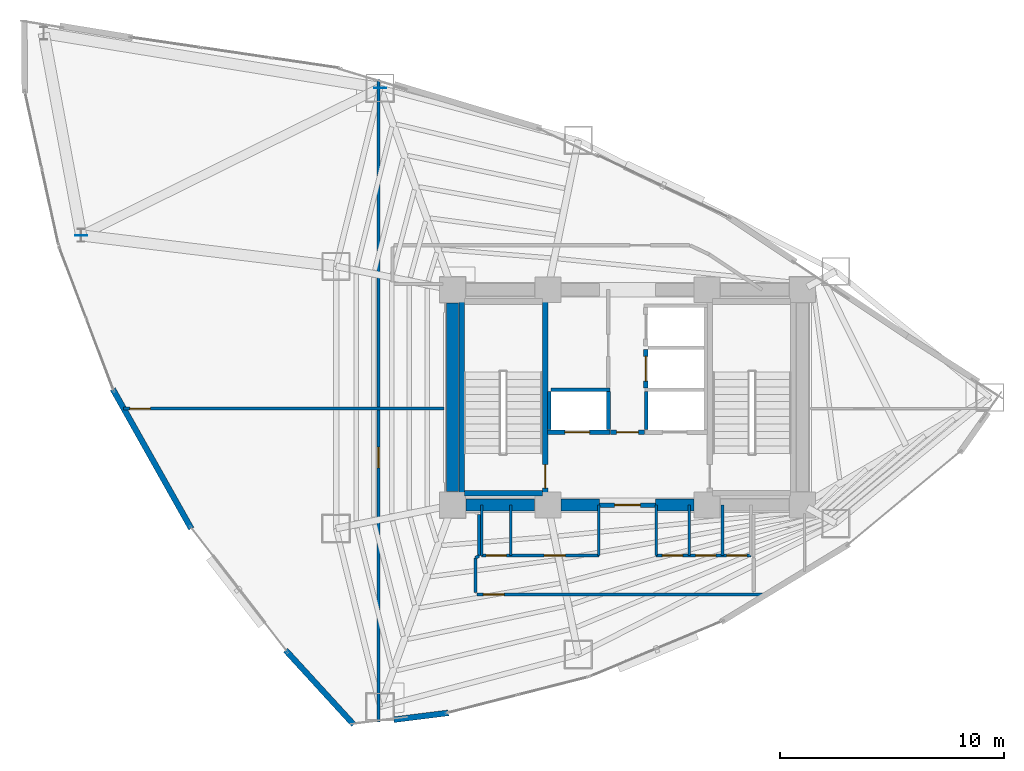
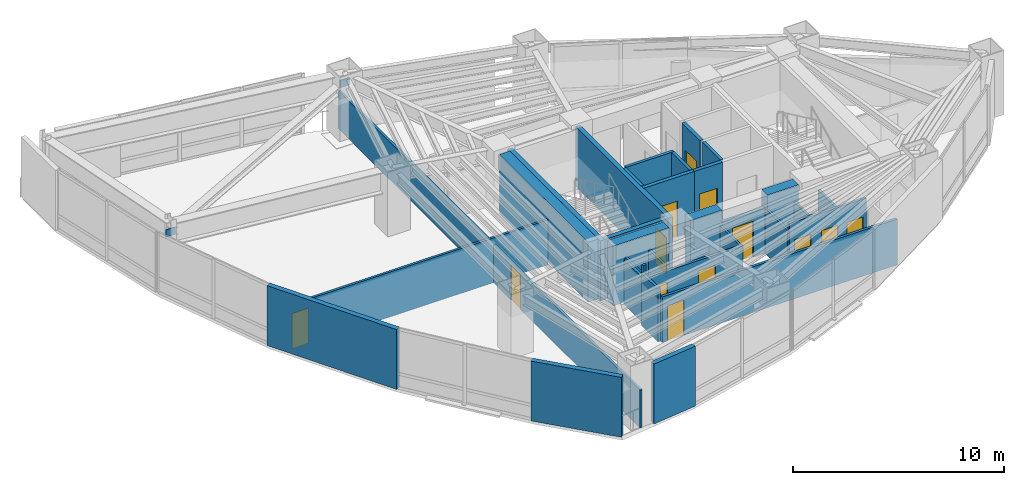
# One storey, part 19 of 23: 32 walls, 13 doors, 2 plates, 13 openings.
"""IFC4 building model written with IfcOpenShell, lengths in metres."""

from ifc_helpers import new_model, si_unit, direction, frame, frame_2d, origin, origin_2d, place, context, subcontext, project, spatial, rectangle, extrude, material, layer, layer_set, type_object, element, fill, save


model = new_model("IFC4")

# Units and contexts
model_context = context("Model", 3, precision=1e-05, world=origin(), true_north=direction((0.0, 1.0)))
body_context = subcontext(model_context, "Body", "Model", "MODEL_VIEW")
ifc_project = project(units=[si_unit("LENGTHUNIT", "METRE"), si_unit("AREAUNIT", "SQUARE_METRE"), si_unit("VOLUMEUNIT", "CUBIC_METRE"), si_unit("PLANEANGLEUNIT", "RADIAN"), si_unit("MASSUNIT", "GRAM", prefix="KILO")], contexts=[model_context])

# Site, building, storey
site_placement = place(None, origin())
site = spatial("IfcSite", under=ifc_project, at=site_placement, CompositionType="ELEMENT")
building_placement = place(site_placement, origin())
building = spatial("IfcBuilding", under=site, at=building_placement, Name="Menara Vayukalpa", CompositionType="ELEMENT")
storey_placement = place(building_placement, frame((0.0, 0.0, 111.419921875)))
storey = spatial("IfcBuildingStorey", under=building, at=storey_placement, Name="L27", CompositionType="ELEMENT", Elevation=111.419921875)

# Plates
ifc_material_1 = material(Name="Steel S355", Category="steel")
ifc_layer_1 = layer(ifc_material_1, 0.028076171875)
ifc_layer_set_1 = layer_set([ifc_layer_1], Name="Steel S355")
plate_type = type_object("IfcPlateType", Name="PLT-END1", PredefinedType="USERDEFINED", material=ifc_layer_set_1)
for number, where, z_axis, x_axis, name in (
    (1, (14.569091796875, 35.79736328125, 2.625), (0.0, 0.0, 1.0), (1.0, 0.0, 0.0), "L27 Structural Brace End Gusset Plate 035"),
    (2, (1.239990234375, 29.22314453125, 2.625), (0.0, 0.0, 1.0), (1.0, 0.0, 0.0), "L27 Structural Brace End Gusset Plate 036"),
):
    element("IfcPlate", number, at=place(storey_placement, frame(where, z_axis=z_axis, x_axis=x_axis)), inside=storey, type_object=plate_type, Name=name, ObjectType="GUSSET_PLATE", PredefinedType="USERDEFINED", context=body_context, shape_type="SweptSolid", body=[
        extrude(rectangle(XDim=0.5400390625, YDim=0.028076171875, at=origin_2d()), origin(), (0.0, 0.0, 1.0), 0.43994140625),
    ])

# Walls
ifc_material_2 = material(Name="Concrete C60/75", Category="concrete")
ifc_layer_2 = layer(ifc_material_2, 0.550048828125)
ifc_layer_set_2 = layer_set([ifc_layer_2], Name="Concrete C60/75")
wall_type_1 = type_object("IfcWallType", Name="WAL-CW550", PredefinedType="SHEAR", material=ifc_layer_set_2)
wall_1_placement = place(storey_placement, frame((18.39501953125, 17.199951171875, 0.0), z_axis=(0.0, 0.0, 1.0), x_axis=(1.0, 0.0, 0.0)))
element("IfcWall", 3, at=wall_1_placement, inside=storey, type_object=wall_type_1, Name="L27 Buttressed Core Shear Wall CWS1", PredefinedType="SHEAR", context=body_context, shape_type="SweptSolid", body=[
    extrude(rectangle(XDim=3.06005859375, YDim=0.550048828125, at=frame_2d((1.530029296875, 0.0))), origin(), (0.0, 0.0, 1.0), 3.469970703125),
])
wall_2_placement = place(storey_placement, frame((22.64501953125, 17.199951171875, 0.0), z_axis=(0.0, 0.0, 1.0), x_axis=(1.0, 0.0, 0.0)))
element("IfcWall", 4, at=wall_2_placement, inside=storey, type_object=wall_type_1, Name="L27 Buttressed Core Shear Wall CWS2", PredefinedType="SHEAR", context=body_context, shape_type="SweptSolid", body=[
    extrude(rectangle(XDim=1.705078125, YDim=0.550048828125, at=frame_2d((0.8525390625, 0.0))), origin(), (0.0, 0.0, 1.0), 3.469970703125),
])
wall_3_placement = place(storey_placement, frame((26.85009765625, 17.199951171875, 0.0), z_axis=(0.0, 0.0, 1.0), x_axis=(1.0, 0.0, 0.0)))
element("IfcWall", 5, at=wall_3_placement, inside=storey, type_object=wall_type_1, Name="L27 Buttressed Core Shear Wall CWS3", PredefinedType="SHEAR", context=body_context, shape_type="SweptSolid", body=[
    extrude(rectangle(XDim=1.704833984375, YDim=0.550048828125, at=frame_2d((0.8525390625, 0.0))), origin(), (0.0, 0.0, 1.0), 3.469970703125),
])
wall_4_placement = place(storey_placement, frame((17.800048828125, 17.794921875, 0.0), z_axis=(0.0, 0.0, 1.0), x_axis=(0.0, 1.0, 0.0)))
element("IfcWall", 6, at=wall_4_placement, inside=storey, type_object=wall_type_1, Name="L27 Buttressed Core Shear Wall CWW1", PredefinedType="SHEAR", context=body_context, shape_type="SweptSolid", body=[
    extrude(rectangle(XDim=8.41015625, YDim=0.550048828125, at=frame_2d((4.205078125, 0.0))), origin(), (0.0, 0.0, 1.0), 3.469970703125),
])
ifc_material_3 = material(Name="Insulated Precast Concrete C40/50", Category="concrete")
ifc_layer_3 = layer(ifc_material_3, 0.260009765625)
ifc_layer_set_3 = layer_set([ifc_layer_3], Name="Insulated Precast Concrete C40/50")
wall_type_2 = type_object("IfcWallType", Name="WAL-EXT260", PredefinedType="PARTITIONING", material=ifc_layer_set_3)
wall_5_placement = place(storey_placement, frame((6.150634765625, 16.147216796875, 0.0), z_axis=(0.0, 0.0, 1.0), x_axis=(-0.490230424354, 0.871592870002, 0.0)))
element("IfcWall", 7, at=wall_5_placement, inside=storey, type_object=wall_type_2, Name="L27 Perimeter Terracotta Pier Wall 12", PredefinedType="PARTITIONING", context=body_context, shape_type="SweptSolid", body=[
    extrude(rectangle(XDim=7.14697265625, YDim=0.260009765625, at=frame_2d((3.573486328125, 0.0))), origin(), (0.0, 0.0, 1.0), 3.469970703125),
])
wall_6_placement = place(storey_placement, frame((13.396240234375, 7.407958984375, 0.0), z_axis=(0.0, 0.0, 1.0), x_axis=(-0.675481616858, 0.737376827197, 0.0)))
element("IfcWall", 8, at=wall_6_placement, inside=storey, type_object=wall_type_2, Name="L27 Perimeter Terracotta Pier Wall 14", PredefinedType="PARTITIONING", context=body_context, shape_type="SweptSolid", body=[
    extrude(rectangle(XDim=4.504638671875, YDim=0.260009765625, at=frame_2d((2.25244140625, 0.0))), origin(), (0.0, 0.0, 1.0), 3.469970703125),
])
wall_7_placement = place(storey_placement, frame((17.61962890625, 7.9345703125, 0.0), z_axis=(0.0, 0.0, 1.0), x_axis=(-0.992311540598, -0.123765125925, 0.0)))
element("IfcWall", 9, at=wall_7_placement, inside=storey, type_object=wall_type_2, Name="L27 Perimeter Terracotta Pier Wall 15", PredefinedType="PARTITIONING", context=body_context, shape_type="SweptSolid", body=[
    extrude(rectangle(XDim=2.451904296875, YDim=0.260009765625, at=frame_2d((1.22607421875, 0.0))), origin(), (0.0, 0.0, 1.0), 3.469970703125),
])
ifc_material_4 = material(Name="Lightweight Concrete Blockwork C16/20", Category="masonry")
ifc_layer_4 = layer(ifc_material_4, 0.159912109375)
ifc_layer_set_4 = layer_set([ifc_layer_4], Name="Lightweight Concrete Blockwork C16/20")
wall_type_3 = type_object("IfcWallType", Name="WAL-FR150", PredefinedType="PARTITIONING", material=ifc_layer_set_4)
for number, where, z_axis, x_axis, name in (
    (10, (22.10498046875, 20.56005859375, 0.0), (0.0, 0.0, 1.0), (0.0, 1.0, 0.0), "L27 Interior Partition IW-L27-SHW-WW"),
    (11, (24.7548828125, 20.56005859375, 0.0), (0.0, 0.0, 1.0), (0.0, 1.0, 0.0), "L27 Interior Partition IW-L27-SHW-W1E"),
):
    element("IfcWall", number, at=place(storey_placement, frame(where, z_axis=z_axis, x_axis=x_axis)), inside=storey, type_object=wall_type_3, Name=name, PredefinedType="PARTITIONING", context=body_context, shape_type="SweptSolid", body=[
        extrude(rectangle(XDim=1.7099609375, YDim=0.159912109375, at=frame_2d((0.85498046875, 0.0))), origin(), (0.0, 0.0, 1.0), 3.469970703125),
    ])
wall_8_placement = place(storey_placement, frame((22.179931640625, 22.344970703125, 0.0), z_axis=(0.0, 0.0, 1.0), x_axis=(1.0, 0.0, 0.0)))
element("IfcWall", 12, at=wall_8_placement, inside=storey, type_object=wall_type_3, Name="L27 Interior Partition IW-L27-SHM-W12", PredefinedType="PARTITIONING", context=body_context, shape_type="SweptSolid", body=[
    extrude(rectangle(XDim=2.650146484375, YDim=0.159912109375, at=frame_2d((1.3251953125, 0.0))), origin(), (0.0, 0.0, 1.0), 3.469970703125),
])
wall_9_placement = place(storey_placement, frame((26.445068359375, 20.56005859375, 0.0), z_axis=(0.0, 0.0, 1.0), x_axis=(0.0, 1.0, 0.0)))
element("IfcWall", 13, at=wall_9_placement, inside=storey, type_object=wall_type_3, Name="L27 Interior Partition IW-L27-SHW-E1W", PredefinedType="PARTITIONING", context=body_context, shape_type="SweptSolid", body=[
    extrude(rectangle(XDim=1.7099609375, YDim=0.159912109375, at=frame_2d((0.85498046875, 0.0))), origin(), (0.0, 0.0, 1.0), 3.469970703125),
])

# Wall, opening, door
ifc_material_5 = material(Name="Lightweight Concrete Blockwork C16/20", Category="masonry")
ifc_layer_5 = layer(ifc_material_5, 0.199951171875)
ifc_layer_set_5 = layer_set([ifc_layer_5], Name="Lightweight Concrete Blockwork C16/20")
wall_type_4 = type_object("IfcWallType", Name="WAL-FR200", PredefinedType="PARTITIONING", material=ifc_layer_set_5)
wall_10_placement = place(storey_placement, frame((24.35009765625, 17.199951171875, 0.0), z_axis=(0.0, 0.0, 1.0), x_axis=(1.0, 0.0, 0.0)))
wall_10 = element("IfcWall", 14, at=wall_10_placement, inside=storey, type_object=wall_type_4, Name="L27 Interior Partition IW-L27-FFLS", PredefinedType="PARTITIONING", context=body_context, shape_type="SweptSolid", body=[
    extrude(rectangle(XDim=2.5, YDim=0.199951171875, at=frame_2d((1.25, 0.0))), origin(), (0.0, 0.0, 1.0), 2.60009765625),
])
opening_1_placement = place(wall_10_placement, frame((0.679931640625, 0.0, 0.0)))
opening_1 = element("IfcOpeningElement", 15, at=opening_1_placement, cuts=wall_10, Name="Opening ID2", PredefinedType="OPENING", context=body_context, shape_type="SweptSolid", body=[
    extrude(rectangle(XDim=1.14990234375, YDim=2.080078125, at=frame_2d((0.574951171875, 1.0400390625))), frame((0.0, 0.10986328125, 0.0), z_axis=(0.0, -1.0, 0.0), x_axis=(1.0, 0.0, 0.0)), (0.0, 0.0, 1.0), 0.219970703125),
])
ifc_material_6 = material(Name="Fire-Rated Powder-Coated Steel Door", Category="steel")
door_type_1 = type_object("IfcDoorType", Name="DR-FD60W", OperationType="NOTDEFINED", PredefinedType="DOOR", material=ifc_material_6)
door_1_placement = place(opening_1_placement, origin())
door_1 = element("IfcDoor", 16, at=door_1_placement, inside=storey, type_object=door_type_1, Name="L27 Interior Door DR-L27-FFLS", OperationType="SINGLE_SWING_RIGHT", OverallHeight=2.080078125, OverallWidth=1.14990234375, PredefinedType="DOOR", context=body_context, shape_type="SweptSolid", body=[
    extrude(rectangle(XDim=1.14990234375, YDim=2.080078125, at=frame_2d((0.574951171875, 1.0400390625))), frame((0.0, 0.02490234375, 0.0), z_axis=(0.0, -1.0, 0.0), x_axis=(1.0, 0.0, 0.0)), (0.0, 0.0, 1.0), 0.050048828125),
])
fill(opening_1, door_1)

wall_11_placement = place(storey_placement, frame((24.840087890625, 20.449951171875, 0.0), z_axis=(0.0, 0.0, 1.0), x_axis=(1.0, 0.0, 0.0)))
wall_11 = element("IfcWall", 17, at=wall_11_placement, inside=storey, type_object=wall_type_4, Name="L27 Interior Partition IW-L27-FFLN", PredefinedType="PARTITIONING", context=body_context, shape_type="SweptSolid", body=[
    extrude(rectangle(XDim=1.52001953125, YDim=0.199951171875, at=frame_2d((0.760009765625, 0.0))), origin(), (0.0, 0.0, 1.0), 3.469970703125),
])
opening_2_placement = place(wall_11_placement, frame((0.27001953125, 0.0, 0.0)))
opening_2 = element("IfcOpeningElement", 18, at=opening_2_placement, cuts=wall_11, Name="Opening ID3", PredefinedType="OPENING", context=body_context, shape_type="SweptSolid", body=[
    extrude(rectangle(XDim=0.97998046875, YDim=2.06005859375, at=frame_2d((0.489990234375, 1.030029296875))), frame((0.0, 0.10986328125, 0.0), z_axis=(0.0, -1.0, 0.0), x_axis=(1.0, 0.0, 0.0)), (0.0, 0.0, 1.0), 0.219970703125),
])
ifc_material_7 = material(Name="Fire-Rated Powder-Coated Steel Door", Category="steel")
door_type_2 = type_object("IfcDoorType", Name="DR-FD60", OperationType="NOTDEFINED", PredefinedType="DOOR", material=ifc_material_7)
door_2_placement = place(opening_2_placement, origin())
door_2 = element("IfcDoor", 19, at=door_2_placement, inside=storey, type_object=door_type_2, Name="L27 Interior Door DR-L27-FFLN", OperationType="SINGLE_SWING_LEFT", OverallHeight=2.06005859375, OverallWidth=0.97998046875, PredefinedType="DOOR", context=body_context, shape_type="SweptSolid", body=[
    extrude(rectangle(XDim=0.97998046875, YDim=2.06005859375, at=frame_2d((0.489990234375, 1.030029296875))), frame((0.0, 0.02490234375, 0.0), z_axis=(0.0, -1.0, 0.0), x_axis=(1.0, 0.0, 0.0)), (0.0, 0.0, 1.0), 0.050048828125),
])
fill(opening_2, door_2)

wall_12_placement = place(storey_placement, frame((22.030029296875, 20.449951171875, 0.0), z_axis=(0.0, 0.0, 1.0), x_axis=(1.0, 0.0, 0.0)))
wall_12 = element("IfcWall", 20, at=wall_12_placement, inside=storey, type_object=wall_type_4, Name="L27 Interior Partition IW-L27-SH-W1", PredefinedType="PARTITIONING", context=body_context, shape_type="SweptSolid", body=[
    extrude(rectangle(XDim=2.800048828125, YDim=0.199951171875, at=frame_2d((1.39990234375, 0.0))), origin(), (0.0, 0.0, 1.0), 3.469970703125),
])
opening_3_placement = place(wall_12_placement, frame((0.780029296875, 0.0, 0.0)))
opening_3 = element("IfcOpeningElement", 21, at=opening_3_placement, cuts=wall_12, Name="Opening LD1", PredefinedType="OPENING", context=body_context, shape_type="SweptSolid", body=[
    extrude(rectangle(XDim=1.10009765625, YDim=2.080078125, at=frame_2d((0.550048828125, 1.0400390625))), frame((0.0, 0.10986328125, 0.0), z_axis=(0.0, -1.0, 0.0), x_axis=(1.0, 0.0, 0.0)), (0.0, 0.0, 1.0), 0.219970703125),
])
ifc_material_8 = material(Name="Brushed Stainless Steel 316 Lift Door", Category="steel")
door_type_3 = type_object("IfcDoorType", Name="DR-LD110", OperationType="NOTDEFINED", PredefinedType="DOOR", material=ifc_material_8)
door_3_placement = place(opening_3_placement, origin())
door_3 = element("IfcDoor", 22, at=door_3_placement, inside=storey, type_object=door_type_3, Name="L27 Interior Door DR-L27-LD-W1", OperationType="DOUBLE_DOOR_SLIDING", OverallHeight=2.080078125, OverallWidth=1.10009765625, PredefinedType="DOOR", context=body_context, shape_type="SweptSolid", body=[
    extrude(rectangle(XDim=1.10009765625, YDim=2.080078125, at=frame_2d((0.550048828125, 1.0400390625))), frame((0.0, 0.02490234375, 0.0), z_axis=(0.0, -1.0, 0.0), x_axis=(1.0, 0.0, 0.0)), (0.0, 0.0, 1.0), 0.050048828125),
])
fill(opening_3, door_3)

wall_13_placement = place(storey_placement, frame((26.419921875, 22.419921875, 0.0), z_axis=(0.0, 0.0, 1.0), x_axis=(0.0, 1.0, 0.0)))
wall_13 = element("IfcWall", 23, at=wall_13_placement, inside=storey, type_object=wall_type_4, Name="L27 Interior Partition IW-L27-SH-E3", PredefinedType="PARTITIONING", context=body_context, shape_type="SweptSolid", body=[
    extrude(rectangle(XDim=1.719970703125, YDim=0.199951171875, at=frame_2d((0.85986328125, 0.0))), origin(), (0.0, 0.0, 1.0), 3.469970703125),
])
opening_4_placement = place(wall_13_placement, frame((0.31005859375, 0.0, 0.0)))
opening_4 = element("IfcOpeningElement", 24, at=opening_4_placement, cuts=wall_13, Name="Opening LD1", PredefinedType="OPENING", context=body_context, shape_type="SweptSolid", body=[
    extrude(rectangle(XDim=1.10009765625, YDim=2.080078125, at=frame_2d((0.550048828125, 1.0400390625))), frame((0.0, 0.10986328125, 0.0), z_axis=(0.0, -1.0, 0.0), x_axis=(1.0, 0.0, 0.0)), (0.0, 0.0, 1.0), 0.219970703125),
])
door_4_placement = place(opening_4_placement, origin())
door_4 = element("IfcDoor", 25, at=door_4_placement, inside=storey, type_object=door_type_3, Name="L27 Interior Door DR-L27-LD-E3", OperationType="DOUBLE_DOOR_SLIDING", OverallHeight=2.080078125, OverallWidth=1.10009765625, PredefinedType="DOOR", context=body_context, shape_type="SweptSolid", body=[
    extrude(rectangle(XDim=1.10009765625, YDim=2.080078125, at=frame_2d((0.550048828125, 1.0400390625))), frame((0.0, 0.02490234375, 0.0), z_axis=(0.0, -1.0, 0.0), x_axis=(1.0, 0.0, 0.0)), (0.0, 0.0, 1.0), 0.050048828125),
])
fill(opening_4, door_4)

# Walls
ifc_material_9 = material(Name="Acoustic Mineral Stud Partition", Category="masonry")
ifc_layer_6 = layer(ifc_material_9, 0.110107421875)
ifc_layer_set_6 = layer_set([ifc_layer_6], Name="Acoustic Mineral Stud Partition")
wall_type_5 = type_object("IfcWallType", Name="WAL-PT110", PredefinedType="PARTITIONING", material=ifc_layer_set_6)
for number, where, z_axis, x_axis, name in (
    (26, (20.39990234375, 14.949951171875, 0.0), (0.0, 0.0, 1.0), (0.0, 1.0, 0.0), "L27 Interior Partition IW-L27-SVCD-02"),
    (27, (28.35009765625, 14.949951171875, 0.0), (0.0, 0.0, 1.0), (0.0, 1.0, 0.0), "L27 Interior Partition IW-L27-SVCD-05"),
):
    element("IfcWall", number, at=place(storey_placement, frame(where, z_axis=z_axis, x_axis=x_axis)), inside=storey, type_object=wall_type_5, Name=name, PredefinedType="PARTITIONING", context=body_context, shape_type="SweptSolid", body=[
        extrude(rectangle(XDim=2.25, YDim=0.110107421875, at=frame_2d((1.125, 0.0))), origin(), (0.0, 0.0, 1.0), 2.60009765625),
    ])
ifc_material_10 = material(Name="Gypsum Drywall Steel Stud Assembly", Category="steel")
ifc_layer_7 = layer(ifc_material_10, 0.125)
ifc_layer_set_7 = layer_set([ifc_layer_7], Name="Gypsum Drywall Steel Stud Assembly")
wall_type_6 = type_object("IfcWallType", Name="WAL-PT125", PredefinedType="PARTITIONING", material=ifc_layer_set_7)
for number, where, z_axis, x_axis, name in (
    (28, (19.10009765625, 14.949951171875, 0.0), (0.0, 0.0, 1.0), (0.0, 1.0, 0.0), "L27 Interior Partition IW-L27-SVCD-01"),
    (29, (24.320068359375, 14.949951171875, 0.0), (0.0, 0.0, 1.0), (0.0, 1.0, 0.0), "L27 Interior Partition IW-L27-SVCD-03"),
    (30, (26.8798828125, 14.949951171875, 0.0), (0.0, 0.0, 1.0), (0.0, 1.0, 0.0), "L27 Interior Partition IW-L27-SVCD-04"),
    (31, (29.830078125, 14.949951171875, 0.0), (0.0, 0.0, 1.0), (0.0, 1.0, 0.0), "L27 Interior Partition IW-L27-SVCD-06"),
):
    element("IfcWall", number, at=place(storey_placement, frame(where, z_axis=z_axis, x_axis=x_axis)), inside=storey, type_object=wall_type_6, Name=name, PredefinedType="PARTITIONING", context=body_context, shape_type="SweptSolid", body=[
        extrude(rectangle(XDim=2.25, YDim=0.125, at=frame_2d((1.125, 0.0))), origin(), (0.0, 0.0, 1.0), 2.60009765625),
    ])

# Wall, opening, door
wall_14_placement = place(storey_placement, frame((14.5, 7.535400390625, 0.0), z_axis=(0.0, 0.0, 1.0), x_axis=(0.0, 1.0, 0.0)))
wall_14 = element("IfcWall", 32, at=wall_14_placement, inside=storey, type_object=wall_type_6, Name="L27 Interior Partition IW-L27-RDIV01", PredefinedType="PARTITIONING", context=body_context, shape_type="SweptSolid", body=[
    extrude(rectangle(XDim=28.648193359375, YDim=0.125, at=frame_2d((14.32421875, 0.0))), origin(), (0.0, 0.0, 1.0), 2.2001953125),
])
opening_5_placement = place(wall_14_placement, frame((11.324951171875, 0.0, 0.0)))
opening_5 = element("IfcOpeningElement", 33, at=opening_5_placement, cuts=wall_14, Name="Opening ID6", PredefinedType="OPENING", context=body_context, shape_type="SweptSolid", body=[
    extrude(rectangle(XDim=0.919921875, YDim=2.050048828125, at=frame_2d((0.4599609375, 1.02490234375))), frame((0.0, 0.072509765625, 0.0), z_axis=(0.0, -1.0, 0.0), x_axis=(1.0, 0.0, 0.0)), (0.0, 0.0, 1.0), 0.14501953125),
])
ifc_material_11 = material(Name="Acoustic Hardwood Veneer Timber Door", Category="wood")
door_type_4 = type_object("IfcDoorType", Name="DR-INT92", OperationType="NOTDEFINED", PredefinedType="DOOR", material=ifc_material_11)
door_5_placement = place(opening_5_placement, origin())
door_5 = element("IfcDoor", 34, at=door_5_placement, inside=storey, type_object=door_type_4, Name="L27 Interior Door DR-L27-STE01", OperationType="SINGLE_SWING_RIGHT", OverallHeight=2.050048828125, OverallWidth=0.919921875, PredefinedType="DOOR", context=body_context, shape_type="SweptSolid", body=[
    extrude(rectangle(XDim=0.919921875, YDim=2.050048828125, at=frame_2d((0.4599609375, 1.02490234375))), frame((0.0, 0.02490234375, 0.0), z_axis=(0.0, -1.0, 0.0), x_axis=(1.0, 0.0, 0.0)), (0.0, 0.0, 1.0), 0.050048828125),
])
fill(opening_5, door_5)

wall_15_placement = place(storey_placement, frame((3.12841796875, 21.5, 0.0), z_axis=(0.0, 0.0, 1.0), x_axis=(1.0, 0.0, 0.0)))
wall_15 = element("IfcWall", 35, at=wall_15_placement, inside=storey, type_object=wall_type_6, Name="L27 Interior Partition IW-L27-RDIV03", PredefinedType="PARTITIONING", context=body_context, shape_type="SweptSolid", body=[
    extrude(rectangle(XDim=14.301513671875, YDim=0.125, at=frame_2d((7.15087890625, 0.0))), origin(), (0.0, 0.0, 1.0), 2.60009765625),
])
opening_6_placement = place(wall_15_placement, frame((0.280029296875, 0.0, 0.0)))
opening_6 = element("IfcOpeningElement", 36, at=opening_6_placement, cuts=wall_15, Name="Opening ID6", PredefinedType="OPENING", context=body_context, shape_type="SweptSolid", body=[
    extrude(rectangle(XDim=0.919921875, YDim=2.050048828125, at=frame_2d((0.4599609375, 1.02490234375))), frame((0.0, 0.072509765625, 0.0), z_axis=(0.0, -1.0, 0.0), x_axis=(1.0, 0.0, 0.0)), (0.0, 0.0, 1.0), 0.14501953125),
])
door_6_placement = place(opening_6_placement, origin())
door_6 = element("IfcDoor", 37, at=door_6_placement, inside=storey, type_object=door_type_4, Name="L27 Interior Door DR-L27-STE05", OperationType="SINGLE_SWING_LEFT", OverallHeight=2.050048828125, OverallWidth=0.919921875, PredefinedType="DOOR", context=body_context, shape_type="SweptSolid", body=[
    extrude(rectangle(XDim=0.919921875, YDim=2.050048828125, at=frame_2d((0.4599609375, 1.02490234375))), frame((0.0, 0.02490234375, 0.0), z_axis=(0.0, -1.0, 0.0), x_axis=(1.0, 0.0, 0.0)), (0.0, 0.0, 1.0), 0.050048828125),
])
fill(opening_6, door_6)

# Wall, openings, doors
ifc_material_12 = material(Name="Gypsum Drywall Acoustic Stud Assembly", Category="masonry")
ifc_layer_8 = layer(ifc_material_12, 0.14501953125)
ifc_layer_set_8 = layer_set([ifc_layer_8], Name="Gypsum Drywall Acoustic Stud Assembly")
wall_type_7 = type_object("IfcWallType", Name="WAL-PT150", PredefinedType="PARTITIONING", material=ifc_layer_set_8)
wall_16_placement = place(storey_placement, frame((19.10009765625, 14.949951171875, 0.0), z_axis=(0.0, 0.0, 1.0), x_axis=(1.0, 0.0, 0.0)))
wall_16 = element("IfcWall", 38, at=wall_16_placement, inside=storey, type_object=wall_type_7, Name="L27 Interior Partition IW-L27-SVCS-W", PredefinedType="PARTITIONING", context=body_context, shape_type="SweptSolid", body=[
    extrude(rectangle(XDim=5.219970703125, YDim=0.14501953125, at=frame_2d((2.60986328125, 0.0))), origin(), (0.0, 0.0, 1.0), 2.650146484375),
])
opening_7_placement = place(wall_16_placement, frame((0.199951171875, 0.0, 0.0)))
opening_7 = element("IfcOpeningElement", 39, at=opening_7_placement, cuts=wall_16, Name="Opening ID7", PredefinedType="OPENING", context=body_context, shape_type="SweptSolid", body=[
    extrude(rectangle(XDim=0.89990234375, YDim=2.02001953125, at=frame_2d((0.449951171875, 1.010009765625))), frame((0.0, 0.08251953125, 0.0), z_axis=(0.0, -1.0, 0.0), x_axis=(1.0, 0.0, 0.0)), (0.0, 0.0, 1.0), 0.1650390625),
])
opening_8_placement = place(wall_16_placement, frame((2.784912109375, 0.0, 0.0)))
opening_8 = element("IfcOpeningElement", 40, at=opening_8_placement, cuts=wall_16, Name="Opening ID5", PredefinedType="OPENING", context=body_context, shape_type="SweptSolid", body=[
    extrude(rectangle(XDim=0.949951171875, YDim=2.06005859375, at=frame_2d((0.47509765625, 1.030029296875))), frame((0.0, 0.08251953125, 0.0), z_axis=(0.0, -1.0, 0.0), x_axis=(1.0, 0.0, 0.0)), (0.0, 0.0, 1.0), 0.1650390625),
])
ifc_material_13 = material(Name="Acoustic Hardwood Veneer Timber Door", Category="wood")
door_type_5 = type_object("IfcDoorType", Name="DR-INT95", OperationType="NOTDEFINED", PredefinedType="DOOR", material=ifc_material_13)
door_7_placement = place(opening_8_placement, origin())
door_7 = element("IfcDoor", 41, at=door_7_placement, inside=storey, type_object=door_type_5, Name="L27 Interior Door DR-L27-AWC", OperationType="SINGLE_SWING_RIGHT", OverallHeight=2.06005859375, OverallWidth=0.949951171875, PredefinedType="DOOR", context=body_context, shape_type="SweptSolid", body=[
    extrude(rectangle(XDim=0.949951171875, YDim=2.06005859375, at=frame_2d((0.47509765625, 1.030029296875))), frame((0.0, 0.02490234375, 0.0), z_axis=(0.0, -1.0, 0.0), x_axis=(1.0, 0.0, 0.0)), (0.0, 0.0, 1.0), 0.050048828125),
])
fill(opening_8, door_7)
ifc_material_14 = material(Name="Powder-Coated Steel Riser Access Door", Category="steel")
door_type_6 = type_object("IfcDoorType", Name="DR-RISER", OperationType="NOTDEFINED", PredefinedType="DOOR", material=ifc_material_14)
door_8_placement = place(opening_7_placement, origin())
door_8 = element("IfcDoor", 42, at=door_8_placement, inside=storey, type_object=door_type_6, Name="L27 Interior Door DR-L27-ELR", OperationType="SINGLE_SWING_LEFT", OverallHeight=2.02001953125, OverallWidth=0.89990234375, PredefinedType="DOOR", context=body_context, shape_type="SweptSolid", body=[
    extrude(rectangle(XDim=0.89990234375, YDim=2.02001953125, at=frame_2d((0.449951171875, 1.010009765625))), frame((0.0, 0.02490234375, 0.0), z_axis=(0.0, -1.0, 0.0), x_axis=(1.0, 0.0, 0.0)), (0.0, 0.0, 1.0), 0.050048828125),
])
fill(opening_7, door_8)

wall_17_placement = place(storey_placement, frame((26.8798828125, 14.949951171875, 0.0), z_axis=(0.0, 0.0, 1.0), x_axis=(1.0, 0.0, 0.0)))
wall_17 = element("IfcWall", 43, at=wall_17_placement, inside=storey, type_object=wall_type_7, Name="L27 Interior Partition IW-L27-SVCS-E", PredefinedType="PARTITIONING", context=body_context, shape_type="SweptSolid", body=[
    extrude(rectangle(XDim=4.22021484375, YDim=0.14501953125, at=frame_2d((2.110107421875, 0.0))), origin(), (0.0, 0.0, 1.0), 3.050048828125),
])
opening_9_placement = place(wall_17_placement, frame((0.280029296875, 0.0, 0.0)))
opening_9 = element("IfcOpeningElement", 44, at=opening_9_placement, cuts=wall_17, Name="Opening ID7", PredefinedType="OPENING", context=body_context, shape_type="SweptSolid", body=[
    extrude(rectangle(XDim=0.89990234375, YDim=2.02001953125, at=frame_2d((0.449951171875, 1.010009765625))), frame((0.0, 0.08251953125, 0.0), z_axis=(0.0, -1.0, 0.0), x_axis=(1.0, 0.0, 0.0)), (0.0, 0.0, 1.0), 0.1650390625),
])
opening_10_placement = place(wall_17_placement, frame((1.760009765625, 0.0, 0.0)))
opening_10 = element("IfcOpeningElement", 45, at=opening_10_placement, cuts=wall_17, Name="Opening ID7", PredefinedType="OPENING", context=body_context, shape_type="SweptSolid", body=[
    extrude(rectangle(XDim=0.89990234375, YDim=2.02001953125, at=frame_2d((0.449951171875, 1.010009765625))), frame((0.0, 0.08251953125, 0.0), z_axis=(0.0, -1.0, 0.0), x_axis=(1.0, 0.0, 0.0)), (0.0, 0.0, 1.0), 0.1650390625),
])
opening_11_placement = place(wall_17_placement, frame((3.139892578125, 0.0, 0.0)))
opening_11 = element("IfcOpeningElement", 46, at=opening_11_placement, cuts=wall_17, Name="Opening ID7", PredefinedType="OPENING", context=body_context, shape_type="SweptSolid", body=[
    extrude(rectangle(XDim=0.89990234375, YDim=2.02001953125, at=frame_2d((0.449951171875, 1.010009765625))), frame((0.0, 0.08251953125, 0.0), z_axis=(0.0, -1.0, 0.0), x_axis=(1.0, 0.0, 0.0)), (0.0, 0.0, 1.0), 0.1650390625),
])
door_9_placement = place(opening_9_placement, origin())
door_9 = element("IfcDoor", 47, at=door_9_placement, inside=storey, type_object=door_type_6, Name="L27 Interior Door DR-L27-KSV1", OperationType="SINGLE_SWING_LEFT", OverallHeight=2.02001953125, OverallWidth=0.89990234375, PredefinedType="DOOR", context=body_context, shape_type="SweptSolid", body=[
    extrude(rectangle(XDim=0.89990234375, YDim=2.02001953125, at=frame_2d((0.449951171875, 1.010009765625))), frame((0.0, 0.02490234375, 0.0), z_axis=(0.0, -1.0, 0.0), x_axis=(1.0, 0.0, 0.0)), (0.0, 0.0, 1.0), 0.050048828125),
])
fill(opening_9, door_9)
door_10_placement = place(opening_10_placement, origin())
door_10 = element("IfcDoor", 48, at=door_10_placement, inside=storey, type_object=door_type_6, Name="L27 Interior Door DR-L27-KSV2", OperationType="SINGLE_SWING_RIGHT", OverallHeight=2.02001953125, OverallWidth=0.89990234375, PredefinedType="DOOR", context=body_context, shape_type="SweptSolid", body=[
    extrude(rectangle(XDim=0.89990234375, YDim=2.02001953125, at=frame_2d((0.449951171875, 1.010009765625))), frame((0.0, 0.02490234375, 0.0), z_axis=(0.0, -1.0, 0.0), x_axis=(1.0, 0.0, 0.0)), (0.0, 0.0, 1.0), 0.050048828125),
])
fill(opening_10, door_10)
door_11_placement = place(opening_11_placement, origin())
door_11 = element("IfcDoor", 49, at=door_11_placement, inside=storey, type_object=door_type_6, Name="L27 Interior Door DR-L27-SMD", OperationType="SINGLE_SWING_LEFT", OverallHeight=2.02001953125, OverallWidth=0.89990234375, PredefinedType="DOOR", context=body_context, shape_type="SweptSolid", body=[
    extrude(rectangle(XDim=0.89990234375, YDim=2.02001953125, at=frame_2d((0.449951171875, 1.010009765625))), frame((0.0, 0.02490234375, 0.0), z_axis=(0.0, -1.0, 0.0), x_axis=(1.0, 0.0, 0.0)), (0.0, 0.0, 1.0), 0.050048828125),
])
fill(opening_11, door_11)

# Walls
wall_18_placement = place(storey_placement, frame((18.97998046875, 16.780029296875, 0.0), z_axis=(0.0, 0.0, 1.0), x_axis=(0.0, -1.0, 0.0)))
element("IfcWall", 50, at=wall_18_placement, inside=storey, type_object=wall_type_7, Name="L27 Interior Partition IW-L27-CRM02-1", PredefinedType="PARTITIONING", context=body_context, shape_type="SweptSolid", body=[
    extrude(rectangle(XDim=1.85009765625, YDim=0.14501953125, at=frame_2d((0.925048828125, 0.0))), origin(), (0.0, 0.0, 1.0), 2.60009765625),
])
wall_19_placement = place(storey_placement, frame((18.820068359375, 14.85009765625, 0.0), z_axis=(0.0, 0.0, 1.0), x_axis=(0.0, -1.0, 0.0)))
element("IfcWall", 51, at=wall_19_placement, inside=storey, type_object=wall_type_7, Name="L27 Interior Partition IW-L27-CRM02-2", PredefinedType="PARTITIONING", context=body_context, shape_type="SweptSolid", body=[
    extrude(rectangle(XDim=1.56005859375, YDim=0.14501953125, at=frame_2d((0.780029296875, 0.0))), origin(), (0.0, 0.0, 1.0), 3.050048828125),
])

# Wall, opening, door
wall_20_placement = place(storey_placement, frame((18.89990234375, 13.2099609375, 0.0), z_axis=(0.0, 0.0, 1.0), x_axis=(1.0, 0.0, 0.0)))
wall_20 = element("IfcWall", 52, at=wall_20_placement, inside=storey, type_object=wall_type_7, Name="L27 Interior Partition IW-L27-CRM02-3", PredefinedType="PARTITIONING", context=body_context, shape_type="SweptSolid", body=[
    extrude(rectangle(XDim=12.884033203125, YDim=0.14501953125, at=frame_2d((6.44189453125, 0.0))), origin(), (0.0, 0.0, 1.0), 2.650146484375),
])
opening_12_placement = place(wall_20_placement, frame((0.280029296875, 0.0, 0.0)))
opening_12 = element("IfcOpeningElement", 53, at=opening_12_placement, cuts=wall_20, Name="Opening ID6", PredefinedType="OPENING", context=body_context, shape_type="SweptSolid", body=[
    extrude(rectangle(XDim=0.919921875, YDim=2.050048828125, at=frame_2d((0.4599609375, 1.02490234375))), frame((0.0, 0.08251953125, 0.0), z_axis=(0.0, -1.0, 0.0), x_axis=(1.0, 0.0, 0.0)), (0.0, 0.0, 1.0), 0.1650390625),
])
door_12_placement = place(opening_12_placement, origin())
door_12 = element("IfcDoor", 54, at=door_12_placement, inside=storey, type_object=door_type_4, Name="L27 Interior Door DR-L27-RM02", OperationType="SINGLE_SWING_RIGHT", OverallHeight=2.050048828125, OverallWidth=0.919921875, PredefinedType="DOOR", context=body_context, shape_type="SweptSolid", body=[
    extrude(rectangle(XDim=0.919921875, YDim=2.050048828125, at=frame_2d((0.4599609375, 1.02490234375))), frame((0.0, 0.02490234375, 0.0), z_axis=(0.0, -1.0, 0.0), x_axis=(1.0, 0.0, 0.0)), (0.0, 0.0, 1.0), 0.050048828125),
])
fill(opening_12, door_12)

# Walls
wall_21_placement = place(storey_placement, frame((18.820068359375, 14.85009765625, 0.0), z_axis=(0.0, 0.0, 1.0), x_axis=(0.89470021502, 0.446667130247, 0.0)))
element("IfcWall", 55, at=wall_21_placement, inside=storey, type_object=wall_type_7, Name="L27 Interior Partition IW-L27-CRM02-2-R0", PredefinedType="PARTITIONING", context=body_context, shape_type="SweptSolid", body=[
    extrude(rectangle(XDim=0.1787109375, YDim=0.14501953125, at=frame_2d((0.08935546875, 0.0))), origin(), (0.0, 0.0, 1.0), 3.469970703125),
])
ifc_material_15 = material(Name="Concrete C50/60", Category="concrete")
ifc_layer_9 = layer(ifc_material_15, 0.25)
ifc_layer_set_9 = layer_set([ifc_layer_9], Name="Concrete C50/60")
wall_type_8 = type_object("IfcWallType", Name="WAL-SW250", PredefinedType="SHEAR", material=ifc_layer_set_9)
wall_22_placement = place(storey_placement, frame((18.2041015625, 17.60009765625, 0.0), z_axis=(0.0, 0.0, 1.0), x_axis=(0.0, 1.0, 0.0)))
element("IfcWall", 56, at=wall_22_placement, inside=storey, type_object=wall_type_8, Name="L27 ST1 Structural Stair Shaft Wall W", PredefinedType="SHEAR", context=body_context, shape_type="SweptSolid", body=[
    extrude(rectangle(XDim=8.7998046875, YDim=0.25, at=frame_2d((4.39990234375, 0.0))), origin(), (0.0, 0.0, 1.0), 3.469970703125),
])

# Wall, opening, door
wall_23_placement = place(storey_placement, frame((21.925048828125, 17.60009765625, 0.0), z_axis=(0.0, 0.0, 1.0), x_axis=(0.0, 1.0, 0.0)))
wall_23 = element("IfcWall", 57, at=wall_23_placement, inside=storey, type_object=wall_type_8, Name="L27 ST1 Structural Stair Shaft Wall E", PredefinedType="SHEAR", context=body_context, shape_type="SweptSolid", body=[
    extrude(rectangle(XDim=8.7998046875, YDim=0.25, at=frame_2d((4.39990234375, 0.0))), origin(), (0.0, 0.0, 1.0), 3.469970703125),
])
opening_13_placement = place(wall_23_placement, frame((0.35009765625, 0.0, 0.0)))
opening_13 = element("IfcOpeningElement", 58, at=opening_13_placement, cuts=wall_23, Name="Opening ID1", PredefinedType="OPENING", context=body_context, shape_type="SweptSolid", body=[
    extrude(rectangle(XDim=1.050048828125, YDim=2.080078125, at=frame_2d((0.52490234375, 1.0400390625))), frame((0.0, 0.135009765625, 0.0), z_axis=(0.0, -1.0, 0.0), x_axis=(1.0, 0.0, 0.0)), (0.0, 0.0, 1.0), 0.27001953125),
])
ifc_material_16 = material(Name="Fire-Rated Powder-Coated Steel Door", Category="steel")
door_type_7 = type_object("IfcDoorType", Name="DR-FD120", OperationType="NOTDEFINED", PredefinedType="DOOR", material=ifc_material_16)
door_13_placement = place(opening_13_placement, origin())
door_13 = element("IfcDoor", 59, at=door_13_placement, inside=storey, type_object=door_type_7, Name="L27 Stair Exit Door DR-L27-ST1", OperationType="SINGLE_SWING_LEFT", OverallHeight=2.080078125, OverallWidth=1.050048828125, PredefinedType="DOOR", context=body_context, shape_type="SweptSolid", body=[
    extrude(rectangle(XDim=1.050048828125, YDim=2.080078125, at=frame_2d((0.52490234375, 1.0400390625))), frame((0.0, 0.02490234375, 0.0), z_axis=(0.0, -1.0, 0.0), x_axis=(1.0, 0.0, 0.0)), (0.0, 0.0, 1.0), 0.050048828125),
])
fill(opening_13, door_13)

# Wall
wall_24_placement = place(storey_placement, frame((18.3291015625, 17.72509765625, 0.0), z_axis=(0.0, 0.0, 1.0), x_axis=(1.0, 0.0, 0.0)))
element("IfcWall", 60, at=wall_24_placement, inside=storey, type_object=wall_type_8, Name="L27 ST1 Structural Stair Shaft Wall S", PredefinedType="SHEAR", context=body_context, shape_type="SweptSolid", body=[
    extrude(rectangle(XDim=3.470947265625, YDim=0.25, at=frame_2d((1.7353515625, 0.0))), origin(), (0.0, 0.0, 1.0), 3.469970703125),
])

save(model, "model.ifc")
